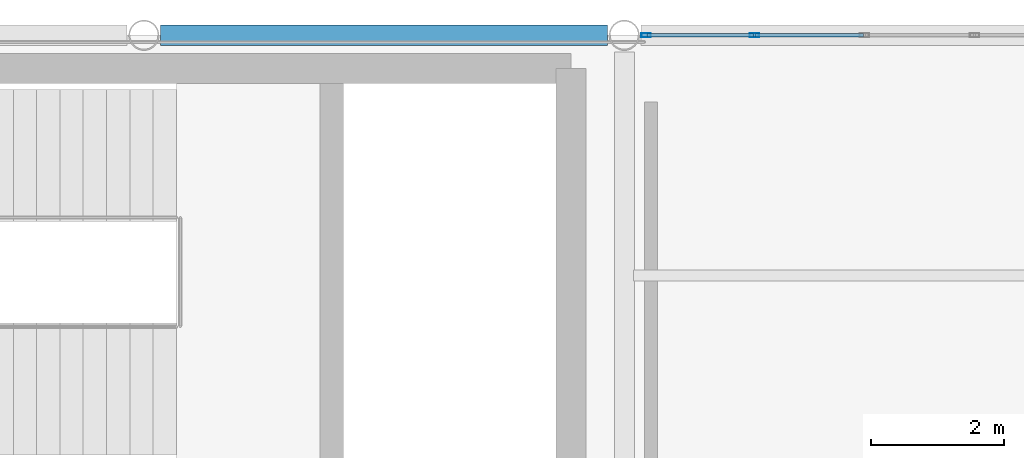
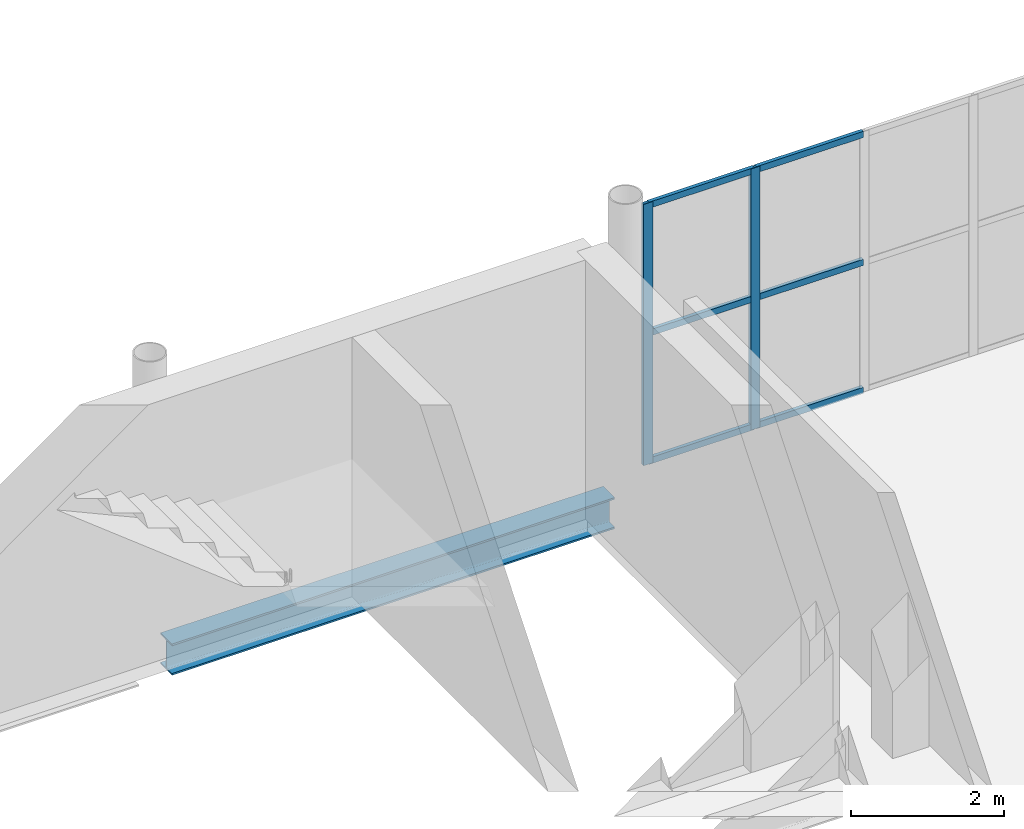
# One storey, part 44 of 81: 8 members, 1 beam, 1 element without a shape of its own.
"""IFC4 building model written with IfcOpenShell, lengths in metres."""

from ifc_helpers import new_model, si_unit, direction, frame, origin, origin_2d, place, context, subcontext, project, spatial, hollow_rectangle, i_section, extrude, material, material_profile, profile_set, type_object, element, aggregate, save


model = new_model("IFC4")

# Units and contexts
model_context = context("Model", 3, precision=1e-05, world=origin(), true_north=direction((0.0, 1.0)))
body_context = subcontext(model_context, "Body", "Model", "MODEL_VIEW")
ifc_project = project(units=[si_unit("LENGTHUNIT", "METRE"), si_unit("AREAUNIT", "SQUARE_METRE"), si_unit("VOLUMEUNIT", "CUBIC_METRE"), si_unit("PLANEANGLEUNIT", "RADIAN"), si_unit("MASSUNIT", "GRAM", prefix="KILO")], contexts=[model_context])

# Site, building, storey
site_placement = place(None, origin())
site = spatial("IfcSite", under=ifc_project, at=site_placement, CompositionType="ELEMENT")
building_placement = place(site_placement, origin())
building = spatial("IfcBuilding", under=site, at=building_placement, Name="Qandorah Velis Arena", CompositionType="ELEMENT")
storey_placement = place(building_placement, frame((0.0, 0.0, 18.60009765625)))
storey = spatial("IfcBuildingStorey", under=building, at=storey_placement, Name="L04", CompositionType="ELEMENT", Elevation=18.60009765625)

# Curtain wall, members
ifc_material_1 = material(Name="Solar-control low-E double glazing", Category="glass")
curtain_wall_type = type_object("IfcCurtainWallType", Name="ARC-CW-SYS20", PredefinedType="USERDEFINED", material=ifc_material_1)
curtain_wall_placement = place(storey_placement, origin())
curtain_wall = element("IfcCurtainWall", 1, at=curtain_wall_placement, inside=storey, type_object=curtain_wall_type, Name="Unitised curtain wall L04-092", ObjectType="UNITISED CURTAIN WALL", PredefinedType="USERDEFINED")
ifc_material_2 = material(Name="Champagne-bronze anodized aluminium 6063-T6", Category="aluminium")
ifc_material_profile_1 = material_profile(ifc_material_2, hollow_rectangle(XDim=0.054931640625, YDim=0.139892578125, WallThickness=0.0029296875, at=origin_2d()), Name="ALU MULLION 55x140")
ifc_profile_set_1 = profile_set([ifc_material_profile_1], Name="Champagne-bronze anodized aluminium 6063-T6")
member_type_1 = type_object("IfcMemberType", Name="ARC-CWM-140", PredefinedType="MULLION", material=ifc_profile_set_1)
member_1_placement = place(storey_placement, frame((43.527587890625, 129.60009765625, -0.01513671875), z_axis=(0.0, 0.0, 1.0), x_axis=(0.0, 1.0, 0.0)))
member_1 = element("IfcMember", 2, at=member_1_placement, type_object=member_type_1, Name="CW20 mullion 1", PredefinedType="MULLION", context=body_context, shape_type="SweptSolid", body=[
    extrude(hollow_rectangle(XDim=0.054931640625, YDim=0.139892578125, WallThickness=0.0029296875, at=origin_2d()), origin(), (0.0, 0.0, 1.0), 4.179931640625),
])
member_2_placement = place(storey_placement, frame((45.14990234375, 129.60009765625, -0.01513671875), z_axis=(0.0, 0.0, 1.0), x_axis=(0.0, 1.0, 0.0)))
member_2 = element("IfcMember", 3, at=member_2_placement, type_object=member_type_1, Name="CW20 mullion 2", PredefinedType="MULLION", context=body_context, shape_type="SweptSolid", body=[
    extrude(hollow_rectangle(XDim=0.054931640625, YDim=0.139892578125, WallThickness=0.0029296875, at=origin_2d()), origin(), (0.0, 0.0, 1.0), 4.179931640625),
])
ifc_material_profile_2 = material_profile(ifc_material_2, hollow_rectangle(XDim=0.054931640625, YDim=0.10009765625, WallThickness=0.0029296875, at=origin_2d()), Name="ALU TRANSOM 55x100")
ifc_profile_set_2 = profile_set([ifc_material_profile_2], Name="Champagne-bronze anodized aluminium 6063-T6")
member_type_2 = type_object("IfcMemberType", Name="ARC-CWT-100", PredefinedType="USERDEFINED", material=ifc_profile_set_2)
member_3_placement = place(storey_placement, frame((43.54296875, 129.60009765625, 0.02734375), z_axis=(1.0, 0.0, 0.0), x_axis=(0.0, 1.0, 0.0)))
member_3 = element("IfcMember", 4, at=member_3_placement, type_object=member_type_2, Name="CW20 transom 1.1", ObjectType="TRANSOM", PredefinedType="USERDEFINED", context=body_context, shape_type="SweptSolid", body=[
    extrude(hollow_rectangle(XDim=0.054931640625, YDim=0.10009765625, WallThickness=0.0029296875, at=origin_2d()), origin(), (0.0, 0.0, 1.0), 1.591552734375),
])
member_4_placement = place(storey_placement, frame((43.54296875, 129.60009765625, 2.074951171875), z_axis=(1.0, 0.0, 0.0), x_axis=(0.0, 1.0, 0.0)))
member_4 = element("IfcMember", 5, at=member_4_placement, type_object=member_type_2, Name="CW20 transom 1.2", ObjectType="TRANSOM", PredefinedType="USERDEFINED", context=body_context, shape_type="SweptSolid", body=[
    extrude(hollow_rectangle(XDim=0.054931640625, YDim=0.10009765625, WallThickness=0.0029296875, at=origin_2d()), origin(), (0.0, 0.0, 1.0), 1.591552734375),
])
member_5_placement = place(storey_placement, frame((43.54296875, 129.60009765625, 4.122314453125), z_axis=(1.0, 0.0, 0.0), x_axis=(0.0, 1.0, 0.0)))
member_5 = element("IfcMember", 6, at=member_5_placement, type_object=member_type_2, Name="CW20 transom 1.3", ObjectType="TRANSOM", PredefinedType="USERDEFINED", context=body_context, shape_type="SweptSolid", body=[
    extrude(hollow_rectangle(XDim=0.054931640625, YDim=0.10009765625, WallThickness=0.0029296875, at=origin_2d()), origin(), (0.0, 0.0, 1.0), 1.591552734375),
])
member_6_placement = place(storey_placement, frame((45.16552734375, 129.60009765625, 0.02734375), z_axis=(1.0, 0.0, 0.0), x_axis=(0.0, 1.0, 0.0)))
member_6 = element("IfcMember", 7, at=member_6_placement, type_object=member_type_2, Name="CW20 transom 2.1", ObjectType="TRANSOM", PredefinedType="USERDEFINED", context=body_context, shape_type="SweptSolid", body=[
    extrude(hollow_rectangle(XDim=0.054931640625, YDim=0.10009765625, WallThickness=0.0029296875, at=origin_2d()), origin(), (0.0, 0.0, 1.0), 1.618896484375),
])
member_7_placement = place(storey_placement, frame((45.16552734375, 129.60009765625, 2.074951171875), z_axis=(1.0, 0.0, 0.0), x_axis=(0.0, 1.0, 0.0)))
member_7 = element("IfcMember", 8, at=member_7_placement, type_object=member_type_2, Name="CW20 transom 2.2", ObjectType="TRANSOM", PredefinedType="USERDEFINED", context=body_context, shape_type="SweptSolid", body=[
    extrude(hollow_rectangle(XDim=0.054931640625, YDim=0.10009765625, WallThickness=0.0029296875, at=origin_2d()), origin(), (0.0, 0.0, 1.0), 1.618896484375),
])
member_8_placement = place(storey_placement, frame((45.16552734375, 129.60009765625, 4.122314453125), z_axis=(1.0, 0.0, 0.0), x_axis=(0.0, 1.0, 0.0)))
member_8 = element("IfcMember", 9, at=member_8_placement, type_object=member_type_2, Name="CW20 transom 2.3", ObjectType="TRANSOM", PredefinedType="USERDEFINED", context=body_context, shape_type="SweptSolid", body=[
    extrude(hollow_rectangle(XDim=0.054931640625, YDim=0.10009765625, WallThickness=0.0029296875, at=origin_2d()), origin(), (0.0, 0.0, 1.0), 1.618896484375),
])
aggregate(curtain_wall, [member_1, member_2, member_3, member_4, member_5, member_6, member_7, member_8])

# Beam
ifc_material_3 = material(Name="Steel S355", Category="steel")
ifc_material_profile_3 = material_profile(ifc_material_3, i_section(OverallWidth=0.300048828125, OverallDepth=0.5, WebThickness=0.014404296875, FlangeThickness=0.028076171875, FilletRadius=0.027099609375, at=origin_2d()), Name="HEB 500")
ifc_profile_set_3 = profile_set([ifc_material_profile_3], Name="Steel S355")
beam_type = type_object("IfcBeamType", Name="STR-BM-HEB500", PredefinedType="BEAM", material=ifc_profile_set_3)
beam_placement = place(storey_placement, frame((36.25, 129.60009765625, -0.52001953125), z_axis=(1.0, 0.0, 0.0), x_axis=(0.0, 1.0, 0.0)))
element("IfcBeam", 10, at=beam_placement, inside=storey, type_object=beam_type, Name="Primary floor girder L04 X-135", PredefinedType="BEAM", context=body_context, shape_type="SweptSolid", body=[
    extrude(i_section(OverallWidth=0.300048828125, OverallDepth=0.5, WebThickness=0.014404296875, FlangeThickness=0.028076171875, FilletRadius=0.027099609375, at=origin_2d()), origin(), (0.0, 0.0, 1.0), 6.699951171875),
])

save(model, "model.ifc")
